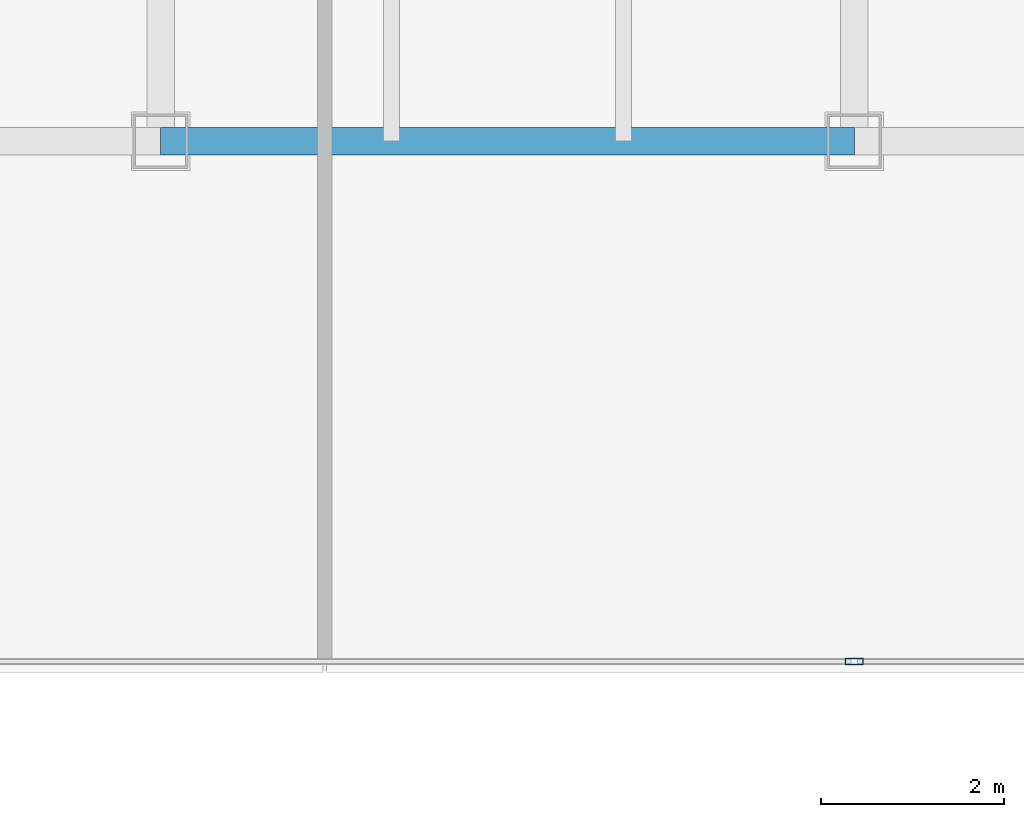
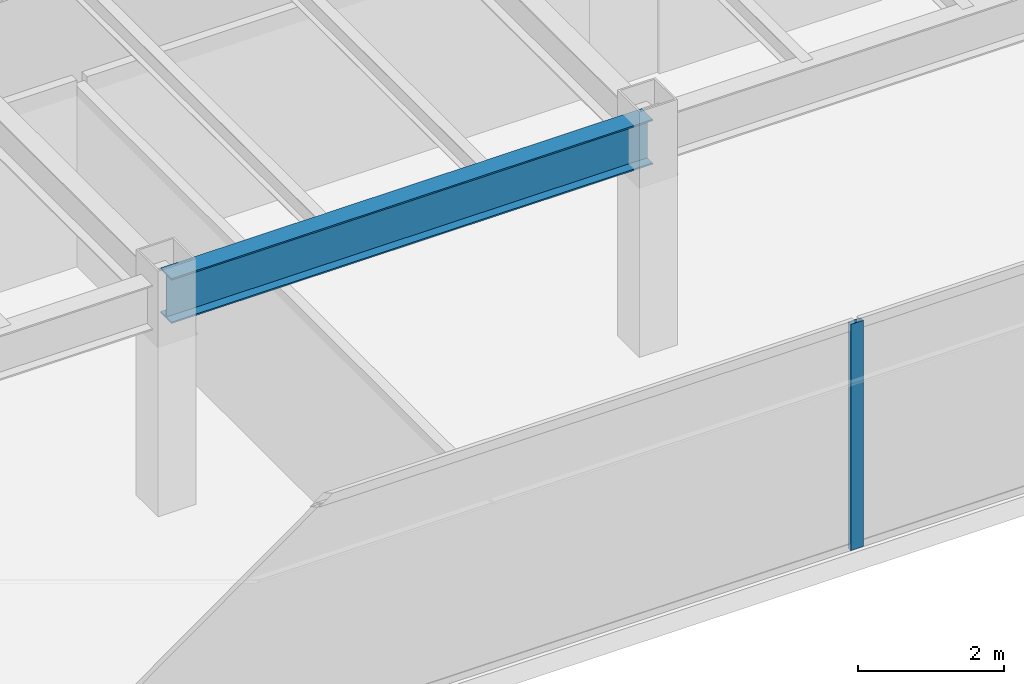
# One storey, part 8 of 37: 1 beam, 1 member, 1 element without a shape of its own.
"""IFC4 building model written with IfcOpenShell, lengths in metres."""

from ifc_helpers import new_model, si_unit, direction, frame, origin, origin_2d, place, context, subcontext, project, spatial, hollow_rectangle, i_section, extrude, source, transform, mapped, material, layer, layer_set, material_profile, profile_set, type_object, type_shapes, element, aggregate, save


model = new_model("IFC4")

# Units and contexts
model_context = context("Model", 3, precision=1e-05, world=origin(), true_north=direction((0.0, 1.0)))
body_context = subcontext(model_context, "Body", "Model", "MODEL_VIEW")
ifc_project = project(units=[si_unit("LENGTHUNIT", "METRE"), si_unit("AREAUNIT", "SQUARE_METRE"), si_unit("VOLUMEUNIT", "CUBIC_METRE"), si_unit("PLANEANGLEUNIT", "RADIAN"), si_unit("MASSUNIT", "GRAM", prefix="KILO")], contexts=[model_context])

# Site, building, storey
site_placement = place(None, origin())
site = spatial("IfcSite", under=ifc_project, at=site_placement, CompositionType="ELEMENT")
building_placement = place(site_placement, origin())
building = spatial("IfcBuilding", under=site, at=building_placement, Name="Haelvirn Gate Laboratories", CompositionType="ELEMENT")
storey_placement = place(building_placement, frame((0.0, 0.0, 74.39990234375)))
storey = spatial("IfcBuildingStorey", under=building, at=storey_placement, Name="L18", CompositionType="ELEMENT", Elevation=74.39990234375)

# Beam
ifc_material_1 = material(Name="Steel SM355", Category="steel")
ifc_material_profile_1 = material_profile(ifc_material_1, i_section(OverallWidth=0.300048828125, OverallDepth=0.75, WebThickness=0.013916015625, FlangeThickness=0.02392578125, at=origin_2d()), Name="H-750x300x14x24")
ifc_profile_set_1 = profile_set([ifc_material_profile_1], Name="Steel SM355")
beam_type = type_object("IfcBeamType", Name="BM-G-750", PredefinedType="BEAM", material=ifc_profile_set_1)
shared_shape_1 = source(origin(), body_context, "Body", "SweptSolid", [
    extrude(i_section(OverallWidth=0.300048828125, OverallDepth=0.75, WebThickness=0.013916015625, FlangeThickness=0.02392578125, at=origin_2d()), origin(), (0.0, 0.0, 1.0), 7.599853515625),
])
type_shapes(beam_type, [shared_shape_1])
beam_placement = place(storey_placement, frame((29.800048828125, 7.0, 3.405029296875), z_axis=(1.0, 0.0, 0.0), x_axis=(0.0, 1.0, 0.0)))
element("IfcBeam", 1, at=beam_placement, inside=storey, type_object=beam_type, Name="L18 Primary Girder Y7.0 (29.8-37.4)", PredefinedType="BEAM", context=body_context, shape_type="MappedRepresentation", body=[
    mapped(shared_shape_1, transform((0.0, 0.0, 0.0), scale=1.0)),
])

# Curtain wall, member
ifc_material_2 = material(Name="Anodised bronze unitised aluminium & triple low-E glass", Category="aluminium")
ifc_layer = layer(ifc_material_2, 0.18408203125, Name="CW-SYS-2")
ifc_layer_set = layer_set([ifc_layer], Name="Anodised bronze unitised aluminium & triple low-E glass")
curtain_wall_type = type_object("IfcCurtainWallType", Name="CW-SYS-2", PredefinedType="NOTDEFINED", material=ifc_layer_set)
curtain_wall_placement = place(storey_placement, origin())
curtain_wall = element("IfcCurtainWall", 2, at=curtain_wall_placement, inside=storey, type_object=curtain_wall_type, Name="L18 Unitised Curtain Wall CW-L18-P0-E02-1", PredefinedType="NOTDEFINED")
ifc_material_3 = material(Name="Extruded aluminium 6063-T6 (anodised bronze)", Category="aluminium")
ifc_material_profile_2 = material_profile(ifc_material_3, hollow_rectangle(XDim=0.074951171875, YDim=0.199951171875, WallThickness=0.0048828125, at=origin_2d()), Name="CWM-200x75x5")
ifc_profile_set_2 = profile_set([ifc_material_profile_2], Name="Extruded aluminium 6063-T6 (anodised bronze)")
member_type = type_object("IfcMemberType", Name="CWM-T200", PredefinedType="MULLION", material=ifc_profile_set_2)
shared_shape_2 = source(origin(), body_context, "Body", "SweptSolid", [
    extrude(hollow_rectangle(XDim=0.074951171875, YDim=0.199951171875, WallThickness=0.0048828125, at=origin_2d()), origin(), (0.0, 0.0, 1.0), 3.780029296875),
])
type_shapes(member_type, [shared_shape_2])
member_placement = place(storey_placement, frame((37.39990234375, 1.300048828125, 0.0), z_axis=(0.0, 0.0, 1.0), x_axis=(0.0, 1.0, 0.0)))
member = element("IfcMember", 3, at=member_placement, type_object=member_type, Name="CW2 mullion 2", PredefinedType="MULLION", context=body_context, shape_type="MappedRepresentation", body=[
    mapped(shared_shape_2, transform((0.0, 0.0, 0.0), scale=1.0)),
])
aggregate(curtain_wall, [member])

save(model, "model.ifc")
